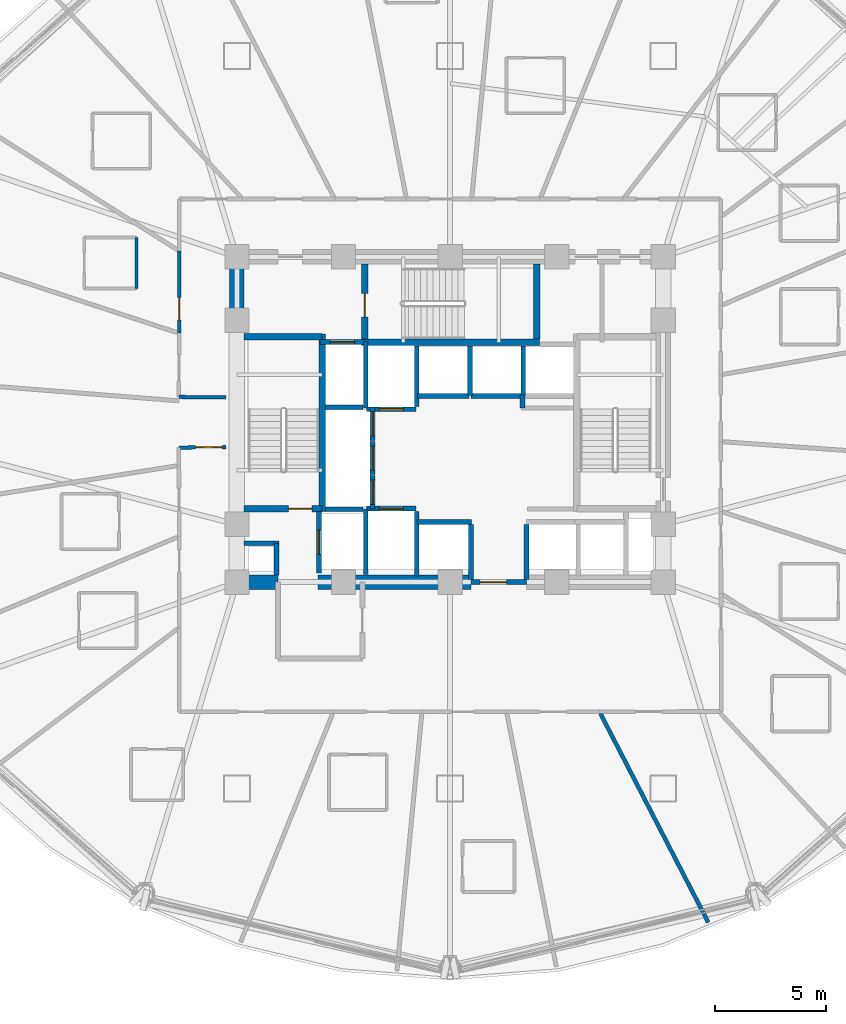
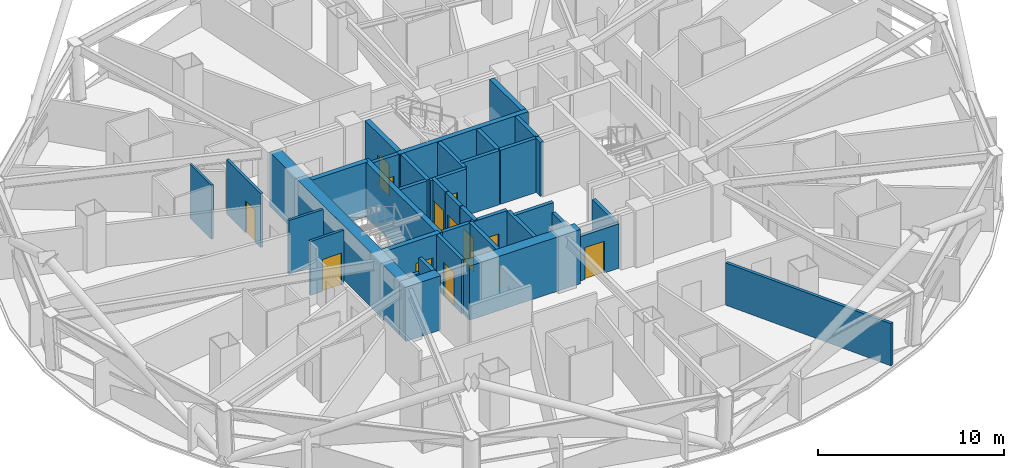
# One storey, part 8 of 16: 38 walls, 12 doors, 12 openings.
"""IFC4 building model written with IfcOpenShell, lengths in metres."""

from ifc_helpers import new_model, si_unit, direction, frame, frame_2d, origin, place, context, subcontext, project, spatial, rectangle, extrude, material, layer, layer_set, type_object, element, fill, save


model = new_model("IFC4")

# Units and contexts
model_context = context("Model", 3, precision=1e-05, world=origin(), true_north=direction((0.0, 1.0)))
body_context = subcontext(model_context, "Body", "Model", "MODEL_VIEW")
ifc_project = project(units=[si_unit("LENGTHUNIT", "METRE"), si_unit("AREAUNIT", "SQUARE_METRE"), si_unit("VOLUMEUNIT", "CUBIC_METRE"), si_unit("PLANEANGLEUNIT", "RADIAN"), si_unit("MASSUNIT", "GRAM", prefix="KILO")], contexts=[model_context])

# Site, building, storey
site_placement = place(None, origin())
site = spatial("IfcSite", under=ifc_project, at=site_placement, CompositionType="ELEMENT")
building_placement = place(site_placement, origin())
building = spatial("IfcBuilding", under=site, at=building_placement, Name="Vantalir Tower", CompositionType="ELEMENT")
storey_placement = place(building_placement, frame((0.0, 0.0, 64.5)))
storey = spatial("IfcBuildingStorey", under=building, at=storey_placement, Name="L15", CompositionType="ELEMENT", Elevation=64.5)

# Walls
ifc_material_1 = material(Name="Moisture-resistant en-suite partition", Category="gypsum")
ifc_layer_1 = layer(ifc_material_1, 0.125)
ifc_layer_set_1 = layer_set([ifc_layer_1], Name="Moisture-resistant en-suite partition")
wall_type_1 = type_object("IfcWallType", Name="WL-BATH-125", PredefinedType="PARTITIONING", material=ifc_layer_set_1)
wall_1_placement = place(storey_placement, frame((17.368896484375, 31.02197265625, 0.0), z_axis=(0.0, 0.0, 1.0), x_axis=(0.0, 1.0, 0.0)))
element("IfcWall", 1, at=wall_1_placement, inside=storey, type_object=wall_type_1, Name="L15 En-suite 10 East Wall", PredefinedType="PARTITIONING", context=body_context, shape_type="SweptSolid", body=[
    extrude(rectangle(XDim=2.300048828125, YDim=0.125, at=frame_2d((1.14990234375, 0.0))), origin(), (0.0, 0.0, 1.0), 3.550048828125),
])
ifc_material_2 = material(Name="Concrete C60/75", Category="concrete")
ifc_layer_2 = layer(ifc_material_2, 0.64990234375)
ifc_layer_set_2 = layer_set([ifc_layer_2], Name="Concrete C60/75")
wall_type_2 = type_object("IfcWallType", Name="WL-CORE-650", PredefinedType="SHEAR", material=ifc_layer_set_2)
wall_2_placement = place(storey_placement, frame((21.574951171875, 17.800048828125, 0.0), z_axis=(0.0, 0.0, 1.0), x_axis=(1.0, 0.0, 0.0)))
element("IfcWall", 2, at=wall_2_placement, inside=storey, type_object=wall_type_2, Name="L15 Core Shear Wall South-West", PredefinedType="SHEAR", context=body_context, shape_type="SweptSolid", body=[
    extrude(rectangle(XDim=2.175048828125, YDim=0.64990234375, at=frame_2d((1.08740234375, 0.0))), origin(), (0.0, 0.0, 1.0), 3.570068359375),
])
wall_3_placement = place(storey_placement, frame((25.550048828125, 17.800048828125, 0.0), z_axis=(0.0, 0.0, 1.0), x_axis=(1.0, 0.0, 0.0)))
element("IfcWall", 3, at=wall_3_placement, inside=storey, type_object=wall_type_2, Name="L15 Core Shear Wall South-Mid", PredefinedType="SHEAR", context=body_context, shape_type="SweptSolid", body=[
    extrude(rectangle(XDim=6.89990234375, YDim=0.64990234375, at=frame_2d((3.449951171875, 0.0))), origin(), (0.0, 0.0, 1.0), 3.570068359375),
])
wall_4_placement = place(storey_placement, frame((21.89990234375, 18.125, 0.0), z_axis=(0.0, 0.0, 1.0), x_axis=(0.0, 1.0, 0.0)))
element("IfcWall", 4, at=wall_4_placement, inside=storey, type_object=wall_type_2, Name="L15 Core Shear Wall West", PredefinedType="SHEAR", context=body_context, shape_type="SweptSolid", body=[
    extrude(rectangle(XDim=14.0, YDim=0.64990234375, at=frame_2d((7.0, 0.0))), origin(), (0.0, 0.0, 1.0), 3.570068359375),
])
ifc_material_3 = material(Name="Fire-rated hotel corridor acoustic partition", Category="gypsum")
ifc_layer_3 = layer(ifc_material_3, 0.159912109375)
ifc_layer_set_3 = layer_set([ifc_layer_3], Name="Fire-rated hotel corridor acoustic partition")
wall_type_3 = type_object("IfcWallType", Name="WL-CORR-160", PredefinedType="PARTITIONING", material=ifc_layer_set_3)
wall_5_placement = place(storey_placement, frame((21.39501953125, 26.117919921875, 0.0), z_axis=(0.0, 0.0, 1.0), x_axis=(-0.999934344566, 0.011458907294, 0.0)))
element("IfcWall", 5, at=wall_5_placement, inside=storey, type_object=wall_type_3, Name="L15 Corridor Partition 01", PredefinedType="PARTITIONING", context=body_context, shape_type="SweptSolid", body=[
    extrude(rectangle(XDim=2.109375, YDim=0.159912109375, at=frame_2d((1.0546875, 0.0))), origin(), (0.0, 0.0, 1.0), 3.550048828125),
])

# Wall, opening, door
wall_6_placement = place(storey_placement, frame((19.2919921875, 29.012939453125, 0.0), z_axis=(0.0, 0.0, 1.0), x_axis=(0.002439982185, 0.999997023239, 0.0)))
wall_6 = element("IfcWall", 6, at=wall_6_placement, inside=storey, type_object=wall_type_3, Name="L15 Corridor Partition 03", PredefinedType="PARTITIONING", context=body_context, shape_type="SweptSolid", body=[
    extrude(rectangle(XDim=3.7021484375, YDim=0.159912109375, at=frame_2d((1.85107421875, 0.0))), origin(), (0.0, 0.0, 1.0), 3.550048828125),
])
opening_1_placement = place(wall_6_placement, frame((0.60693359375, 0.0, 0.0)))
opening_1 = element("IfcOpeningElement", 7, at=opening_1_placement, cuts=wall_6, Name="Opening D-GUEST", PredefinedType="OPENING", context=body_context, shape_type="SweptSolid", body=[
    extrude(rectangle(XDim=1.0, YDim=2.10009765625, at=frame_2d((0.5, 1.050048828125))), frame((0.0, 0.08984375, 0.0), z_axis=(0.0, -1.0, 0.0), x_axis=(1.0, 0.0, 0.0)), (0.0, 0.0, 1.0), 0.179931640625),
])
ifc_material_4 = material(Name="Solid-core teak veneer acoustic fire door", Category="wood")
door_type_1 = type_object("IfcDoorType", Name="DR-GUEST-ENTRY-1000", OperationType="NOTDEFINED", PredefinedType="DOOR", material=ifc_material_4)
door_1_placement = place(opening_1_placement, origin())
door_1 = element("IfcDoor", 8, at=door_1_placement, inside=storey, type_object=door_type_1, Name="L15 Deluxe King Hotel Room 10 Door", OperationType="SINGLE_SWING_RIGHT", OverallHeight=2.10009765625, OverallWidth=1.0, PredefinedType="DOOR", context=body_context, shape_type="SweptSolid", body=[
    extrude(rectangle(XDim=1.0, YDim=2.10009765625, at=frame_2d((0.5, 1.050048828125))), frame((0.0, 0.02490234375, 0.0), z_axis=(0.0, -1.0, 0.0), x_axis=(1.0, 0.0, 0.0)), (0.0, 0.0, 1.0), 0.050048828125),
])
fill(opening_1, door_1)

wall_7_placement = place(storey_placement, frame((19.285888671875, 23.85791015625, 0.0), z_axis=(0.0, 0.0, 1.0), x_axis=(0.999905141734, 0.013773435799, 0.0)))
wall_7 = element("IfcWall", 9, at=wall_7_placement, inside=storey, type_object=wall_type_3, Name="L15 Corridor Partition 28", PredefinedType="PARTITIONING", context=body_context, shape_type="SweptSolid", body=[
    extrude(rectangle(XDim=2.109375, YDim=0.159912109375, at=frame_2d((1.0546875, 0.0))), origin(), (0.0, 0.0, 1.0), 3.550048828125),
])
opening_2_placement = place(wall_7_placement, frame((0.7490234375, 0.0, 0.0)))
opening_2 = element("IfcOpeningElement", 10, at=opening_2_placement, cuts=wall_7, Name="Opening D-STE", PredefinedType="OPENING", context=body_context, shape_type="SweptSolid", body=[
    extrude(rectangle(XDim=1.199951171875, YDim=2.10009765625, at=frame_2d((0.60009765625, 1.050048828125))), frame((0.0, 0.08984375, 0.0), z_axis=(0.0, -1.0, 0.0), x_axis=(1.0, 0.0, 0.0)), (0.0, 0.0, 1.0), 0.179931640625),
])
ifc_material_5 = material(Name="Solid-core teak veneer suite entrance door", Category="wood")
door_type_2 = type_object("IfcDoorType", Name="DR-SUITE-ENTRY-1200", OperationType="NOTDEFINED", PredefinedType="DOOR", material=ifc_material_5)
door_2_placement = place(opening_2_placement, origin())
door_2 = element("IfcDoor", 11, at=door_2_placement, inside=storey, type_object=door_type_2, Name="L15 Executive Sky Boardroom 12 Door", OperationType="SINGLE_SWING_RIGHT", OverallHeight=2.10009765625, OverallWidth=1.199951171875, PredefinedType="DOOR", context=body_context, shape_type="SweptSolid", body=[
    extrude(rectangle(XDim=1.199951171875, YDim=2.10009765625, at=frame_2d((0.60009765625, 1.050048828125))), frame((0.0, 0.02490234375, 0.0), z_axis=(0.0, -1.0, 0.0), x_axis=(1.0, 0.0, 0.0)), (0.0, 0.0, 1.0), 0.050048828125),
])
fill(opening_2, door_2)

# Walls
ifc_material_6 = material(Name="Concrete blockwork with fireboard lining", Category="masonry")
ifc_layer_4 = layer(ifc_material_6, 0.219970703125)
ifc_layer_set_4 = layer_set([ifc_layer_4], Name="Concrete blockwork with fireboard lining")
wall_type_4 = type_object("IfcWallType", Name="WL-FFL-220", PredefinedType="PARTITIONING", material=ifc_layer_set_4)
wall_8_placement = place(storey_placement, frame((30.0, 18.080078125, 0.0), z_axis=(0.0, 0.0, 1.0), x_axis=(0.0, 1.0, 0.0)))
element("IfcWall", 12, at=wall_8_placement, inside=storey, type_object=wall_type_4, Name="L15 Service Lift SV1 East Shaft Wall", PredefinedType="PARTITIONING", context=body_context, shape_type="SweptSolid", body=[
    extrude(rectangle(XDim=2.89990234375, YDim=0.219970703125, at=frame_2d((1.449951171875, 0.0))), origin(), (0.0, 0.0, 1.0), 3.544921875),
])
for number, where, z_axis, x_axis, name in (
    (13, (32.449951171875, 17.919921875, 0.0), (0.0, 0.0, 1.0), (0.0, 1.0, 0.0), "L15 Shuttle Lift PL-X1 East Shaft Cheek"),
    (14, (34.949951171875, 17.919921875, 0.0), (0.0, 0.0, 1.0), (0.0, 1.0, 0.0), "L15 Shuttle Lift PL-X3 West Shaft Cheek"),
):
    element("IfcWall", number, at=place(storey_placement, frame(where, z_axis=z_axis, x_axis=x_axis)), inside=storey, type_object=wall_type_4, Name=name, PredefinedType="PARTITIONING", context=body_context, shape_type="SweptSolid", body=[
        extrude(rectangle(XDim=2.469970703125, YDim=0.219970703125, at=frame_2d((1.23486328125, 0.0))), origin(), (0.0, 0.0, 1.0), 2.927978515625),
    ])
wall_9_placement = place(storey_placement, frame((30.0, 25.7099609375, 0.0), z_axis=(0.0, 0.0, 1.0), x_axis=(0.0, 1.0, 0.0)))
element("IfcWall", 15, at=wall_9_placement, inside=storey, type_object=wall_type_4, Name="L15 Service Lift SV2 East Shaft Wall", PredefinedType="PARTITIONING", context=body_context, shape_type="SweptSolid", body=[
    extrude(rectangle(XDim=2.72998046875, YDim=0.219970703125, at=frame_2d((1.364990234375, 0.0))), origin(), (0.0, 0.0, 1.0), 3.544921875),
])
wall_10_placement = place(storey_placement, frame((32.39990234375, 26.199951171875, 0.0), z_axis=(0.0, 0.0, 1.0), x_axis=(0.0, 1.0, 0.0)))
element("IfcWall", 16, at=wall_10_placement, inside=storey, type_object=wall_type_4, Name="L15 High-Rise Lift PL-H1/H2 Shaft Divider", PredefinedType="PARTITIONING", context=body_context, shape_type="SweptSolid", body=[
    extrude(rectangle(XDim=2.239990234375, YDim=0.219970703125, at=frame_2d((1.1201171875, 0.0))), origin(), (0.0, 0.0, 1.0), 3.544921875),
])
wall_11_placement = place(storey_placement, frame((34.800048828125, 26.22998046875, 0.0), z_axis=(0.0, 0.0, 1.0), x_axis=(0.0, 1.0, 0.0)))
element("IfcWall", 17, at=wall_11_placement, inside=storey, type_object=wall_type_4, Name="L15 High-Rise Lift PL-H2/H3 Shaft Divider", PredefinedType="PARTITIONING", context=body_context, shape_type="SweptSolid", body=[
    extrude(rectangle(XDim=2.2099609375, YDim=0.219970703125, at=frame_2d((1.10498046875, 0.0))), origin(), (0.0, 0.0, 1.0), 3.544921875),
])

# Wall, opening, door
wall_12_placement = place(storey_placement, frame((32.449951171875, 17.800048828125, 0.0), z_axis=(0.0, 0.0, 1.0), x_axis=(1.0, 0.0, 0.0)))
wall_12 = element("IfcWall", 18, at=wall_12_placement, inside=storey, type_object=wall_type_4, Name="L15 Passenger Lift Lobby South Wall", PredefinedType="PARTITIONING", context=body_context, shape_type="SweptSolid", body=[
    extrude(rectangle(XDim=2.5, YDim=0.219970703125, at=frame_2d((1.25, 0.0))), origin(), (0.0, 0.0, 1.0), 2.927978515625),
])
opening_3_placement = place(wall_12_placement, frame((0.39990234375, 0.0, 0.0)))
opening_3 = element("IfcOpeningElement", 19, at=opening_3_placement, cuts=wall_12, Name="Opening D-STE", PredefinedType="OPENING", context=body_context, shape_type="SweptSolid", body=[
    extrude(rectangle(XDim=1.199951171875, YDim=2.10009765625, at=frame_2d((0.60009765625, 1.050048828125))), frame((0.0, 0.119873046875, 0.0), z_axis=(0.0, -1.0, 0.0), x_axis=(1.0, 0.0, 0.0)), (0.0, 0.0, 1.0), 0.239990234375),
])
door_3_placement = place(opening_3_placement, origin())
door_3 = element("IfcDoor", 20, at=door_3_placement, inside=storey, type_object=door_type_2, Name="L15 Passenger Lift Lobby Concourse Door", OperationType="SINGLE_SWING_RIGHT", OverallHeight=2.10009765625, OverallWidth=1.199951171875, PredefinedType="DOOR", context=body_context, shape_type="SweptSolid", body=[
    extrude(rectangle(XDim=1.199951171875, YDim=2.10009765625, at=frame_2d((0.60009765625, 1.050048828125))), frame((0.0, 0.02490234375, 0.0), z_axis=(0.0, -1.0, 0.0), x_axis=(1.0, 0.0, 0.0)), (0.0, 0.0, 1.0), 0.050048828125),
])
fill(opening_3, door_3)

# Walls
wall_13_placement = place(storey_placement, frame((23.679931640625, 18.125, 0.0), z_axis=(0.0, 0.0, 1.0), x_axis=(0.0, 1.0, 0.0)))
element("IfcWall", 21, at=wall_13_placement, inside=storey, type_object=wall_type_4, Name="L15 West MEP Riser Wall E", PredefinedType="PARTITIONING", context=body_context, shape_type="SweptSolid", body=[
    extrude(rectangle(XDim=1.425048828125, YDim=0.219970703125, at=frame_2d((0.71240234375, 0.0))), origin(), (0.0, 0.0, 1.0), 3.550048828125),
])
wall_14_placement = place(storey_placement, frame((22.22509765625, 19.550048828125, 0.0), z_axis=(0.0, 0.0, 1.0), x_axis=(1.0, 0.0, 0.0)))
element("IfcWall", 22, at=wall_14_placement, inside=storey, type_object=wall_type_4, Name="L15 West MEP Riser Wall N", PredefinedType="PARTITIONING", context=body_context, shape_type="SweptSolid", body=[
    extrude(rectangle(XDim=1.56494140625, YDim=0.219970703125, at=frame_2d((0.782470703125, 0.0))), origin(), (0.0, 0.0, 1.0), 2.594970703125),
])

# Wall, opening, door
wall_15_placement = place(storey_placement, frame((25.590087890625, 18.219970703125, 0.0), z_axis=(0.0, 0.0, 1.0), x_axis=(0.0, 1.0, 0.0)))
wall_15 = element("IfcWall", 23, at=wall_15_placement, inside=storey, type_object=wall_type_4, Name="L15 Lift FL1 Shaft Front Wall", PredefinedType="PARTITIONING", context=body_context, shape_type="SweptSolid", body=[
    extrude(rectangle(XDim=2.760009765625, YDim=0.219970703125, at=frame_2d((1.3798828125, 0.0))), origin(), (0.0, 0.0, 1.0), 3.550048828125),
])
opening_4_placement = place(wall_15_placement, frame((0.830078125, 0.0, 0.0)))
opening_4 = element("IfcOpeningElement", 24, at=opening_4_placement, cuts=wall_15, Name="Opening LD-FL1", PredefinedType="OPENING", context=body_context, shape_type="SweptSolid", body=[
    extrude(rectangle(XDim=1.10009765625, YDim=2.199951171875, at=frame_2d((0.550048828125, 1.10009765625))), frame((0.0, 0.119873046875, 0.0), z_axis=(0.0, -1.0, 0.0), x_axis=(1.0, 0.0, 0.0)), (0.0, 0.0, 1.0), 0.239990234375),
])
ifc_material_7 = material(Name="Brushed stainless-steel sliding lift landing door", Category="steel")
door_type_3 = type_object("IfcDoorType", Name="DR-LIFT-LANDING-1100", OperationType="DOUBLE_DOOR_SLIDING", PredefinedType="DOOR", material=ifc_material_7)
door_4_placement = place(opening_4_placement, origin())
door_4 = element("IfcDoor", 25, at=door_4_placement, inside=storey, type_object=door_type_3, Name="L15 Lift Landing Door FL1", OperationType="DOUBLE_DOOR_SLIDING", OverallHeight=2.199951171875, OverallWidth=1.10009765625, PredefinedType="DOOR", context=body_context, shape_type="SweptSolid", body=[
    extrude(rectangle(XDim=1.10009765625, YDim=2.199951171875, at=frame_2d((0.550048828125, 1.10009765625))), frame((0.0, 0.02490234375, 0.0), z_axis=(0.0, -1.0, 0.0), x_axis=(1.0, 0.0, 0.0)), (0.0, 0.0, 1.0), 0.050048828125),
])
fill(opening_4, door_4)

wall_16_placement = place(storey_placement, frame((25.639892578125, 28.610107421875, 0.0), z_axis=(0.0, 0.0, 1.0), x_axis=(1.0, 0.0, 0.0)))
wall_16 = element("IfcWall", 26, at=wall_16_placement, inside=storey, type_object=wall_type_4, Name="L15 Lift FL2 Shaft Front Wall", PredefinedType="PARTITIONING", context=body_context, shape_type="SweptSolid", body=[
    extrude(rectangle(XDim=2.02001953125, YDim=0.219970703125, at=frame_2d((1.010009765625, 0.0))), origin(), (0.0, 0.0, 1.0), 3.550048828125),
])
opening_5_placement = place(wall_16_placement, frame((0.4599609375, 0.0, 0.0)))
opening_5 = element("IfcOpeningElement", 27, at=opening_5_placement, cuts=wall_16, Name="Opening LD-FL2", PredefinedType="OPENING", context=body_context, shape_type="SweptSolid", body=[
    extrude(rectangle(XDim=1.10009765625, YDim=2.199951171875, at=frame_2d((0.550048828125, 1.10009765625))), frame((0.0, 0.119873046875, 0.0), z_axis=(0.0, -1.0, 0.0), x_axis=(1.0, 0.0, 0.0)), (0.0, 0.0, 1.0), 0.239990234375),
])
door_5_placement = place(opening_5_placement, origin())
door_5 = element("IfcDoor", 28, at=door_5_placement, inside=storey, type_object=door_type_3, Name="L15 Lift Landing Door FL2", OperationType="DOUBLE_DOOR_SLIDING", OverallHeight=2.199951171875, OverallWidth=1.10009765625, PredefinedType="DOOR", context=body_context, shape_type="SweptSolid", body=[
    extrude(rectangle(XDim=1.10009765625, YDim=2.199951171875, at=frame_2d((0.550048828125, 1.10009765625))), frame((0.0, 0.02490234375, 0.0), z_axis=(0.0, -1.0, 0.0), x_axis=(1.0, 0.0, 0.0)), (0.0, 0.0, 1.0), 0.050048828125),
])
fill(opening_5, door_5)

wall_17_placement = place(storey_placement, frame((27.739990234375, 21.110107421875, 0.0), z_axis=(0.0, 0.0, 1.0), x_axis=(1.0, 0.0, 0.0)))
wall_17 = element("IfcWall", 29, at=wall_17_placement, inside=storey, type_object=wall_type_4, Name="L15 Lift SV1 Shaft Front Wall", PredefinedType="PARTITIONING", context=body_context, shape_type="SweptSolid", body=[
    extrude(rectangle(XDim=2.219970703125, YDim=0.219970703125, at=frame_2d((1.10986328125, 0.0))), origin(), (0.0, 0.0, 1.0), 3.550048828125),
])
opening_6_placement = place(wall_17_placement, frame((0.56005859375, 0.0, 0.0)))
opening_6 = element("IfcOpeningElement", 30, at=opening_6_placement, cuts=wall_17, Name="Opening LD-SV1", PredefinedType="OPENING", context=body_context, shape_type="SweptSolid", body=[
    extrude(rectangle(XDim=1.10009765625, YDim=2.199951171875, at=frame_2d((0.550048828125, 1.10009765625))), frame((0.0, 0.119873046875, 0.0), z_axis=(0.0, -1.0, 0.0), x_axis=(1.0, 0.0, 0.0)), (0.0, 0.0, 1.0), 0.239990234375),
])
door_6_placement = place(opening_6_placement, origin())
door_6 = element("IfcDoor", 31, at=door_6_placement, inside=storey, type_object=door_type_3, Name="L15 Lift Landing Door SV1", OperationType="DOUBLE_DOOR_SLIDING", OverallHeight=2.199951171875, OverallWidth=1.10009765625, PredefinedType="DOOR", context=body_context, shape_type="SweptSolid", body=[
    extrude(rectangle(XDim=1.10009765625, YDim=2.199951171875, at=frame_2d((0.550048828125, 1.10009765625))), frame((0.0, 0.02490234375, 0.0), z_axis=(0.0, -1.0, 0.0), x_axis=(1.0, 0.0, 0.0)), (0.0, 0.0, 1.0), 0.050048828125),
])
fill(opening_6, door_6)

wall_18_placement = place(storey_placement, frame((27.739990234375, 25.590087890625, 0.0), z_axis=(0.0, 0.0, 1.0), x_axis=(1.0, 0.0, 0.0)))
wall_18 = element("IfcWall", 32, at=wall_18_placement, inside=storey, type_object=wall_type_4, Name="L15 Lift SV2 Shaft Front Wall", PredefinedType="PARTITIONING", context=body_context, shape_type="SweptSolid", body=[
    extrude(rectangle(XDim=2.219970703125, YDim=0.219970703125, at=frame_2d((1.10986328125, 0.0))), origin(), (0.0, 0.0, 1.0), 3.550048828125),
])
opening_7_placement = place(wall_18_placement, frame((0.56005859375, 0.0, 0.0)))
opening_7 = element("IfcOpeningElement", 33, at=opening_7_placement, cuts=wall_18, Name="Opening LD-SV2", PredefinedType="OPENING", context=body_context, shape_type="SweptSolid", body=[
    extrude(rectangle(XDim=1.10009765625, YDim=2.199951171875, at=frame_2d((0.550048828125, 1.10009765625))), frame((0.0, 0.119873046875, 0.0), z_axis=(0.0, -1.0, 0.0), x_axis=(1.0, 0.0, 0.0)), (0.0, 0.0, 1.0), 0.239990234375),
])
door_7_placement = place(opening_7_placement, frame((1.10009765625, 0.0, 0.0), z_axis=(0.0, 0.0, 1.0), x_axis=(-1.0, 0.0, 0.0)))
door_7 = element("IfcDoor", 34, at=door_7_placement, inside=storey, type_object=door_type_3, Name="L15 Lift Landing Door SV2", OperationType="DOUBLE_DOOR_SLIDING", OverallHeight=2.199951171875, OverallWidth=1.10009765625, PredefinedType="DOOR", context=body_context, shape_type="SweptSolid", body=[
    extrude(rectangle(XDim=1.10009765625, YDim=2.199951171875, at=frame_2d((0.550048828125, 1.10009765625))), frame((0.0, 0.02490234375, 0.0), z_axis=(0.0, -1.0, 0.0), x_axis=(1.0, 0.0, 0.0)), (0.0, 0.0, 1.0), 0.050048828125),
])
fill(opening_7, door_7)

# Walls
wall_19_placement = place(storey_placement, frame((30.0400390625, 20.510009765625, 0.0), z_axis=(0.0, 0.0, 1.0), x_axis=(1.0, 0.0, 0.0)))
element("IfcWall", 35, at=wall_19_placement, inside=storey, type_object=wall_type_4, Name="L15 Lift PL-X1 Shaft Front Wall", PredefinedType="PARTITIONING", context=body_context, shape_type="SweptSolid", body=[
    extrude(rectangle(XDim=2.419921875, YDim=0.219970703125, at=frame_2d((1.2099609375, 0.0))), origin(), (0.0, 0.0, 1.0), 3.550048828125),
])
for number, where, z_axis, x_axis, name in (
    (36, (30.0400390625, 26.18994140625, 0.0), (0.0, 0.0, 1.0), (1.0, 0.0, 0.0), "L15 Lift PL-H1 Shaft Front Wall"),
    (37, (32.43994140625, 26.18994140625, 0.0), (0.0, 0.0, 1.0), (1.0, 0.0, 0.0), "L15 Lift PL-H2 Shaft Front Wall"),
):
    element("IfcWall", number, at=place(storey_placement, frame(where, z_axis=z_axis, x_axis=x_axis)), inside=storey, type_object=wall_type_4, Name=name, PredefinedType="PARTITIONING", context=body_context, shape_type="SweptSolid", body=[
        extrude(rectangle(XDim=2.320068359375, YDim=0.219970703125, at=frame_2d((1.16015625, 0.0))), origin(), (0.0, 0.0, 1.0), 3.550048828125),
    ])

# Wall, opening, door
wall_20_placement = place(storey_placement, frame((28.010009765625, 21.10009765625, 0.0), z_axis=(0.0, 0.0, 1.0), x_axis=(0.0, 1.0, 0.0)))
wall_20 = element("IfcWall", 38, at=wall_20_placement, inside=storey, type_object=wall_type_4, Name="L15 Lift PL-L1 Shaft Front Wall", PredefinedType="PARTITIONING", context=body_context, shape_type="SweptSolid", body=[
    extrude(rectangle(XDim=1.5, YDim=0.219970703125, at=frame_2d((0.75, 0.0))), origin(), (0.0, 0.0, 1.0), 3.550048828125),
])
opening_8_placement = place(wall_20_placement, frame((0.199951171875, 0.0, 0.0)))
opening_8 = element("IfcOpeningElement", 39, at=opening_8_placement, cuts=wall_20, Name="Opening LD-PL-L1", PredefinedType="OPENING", context=body_context, shape_type="SweptSolid", body=[
    extrude(rectangle(XDim=1.10009765625, YDim=2.199951171875, at=frame_2d((0.550048828125, 1.10009765625))), frame((0.0, 0.119873046875, 0.0), z_axis=(0.0, -1.0, 0.0), x_axis=(1.0, 0.0, 0.0)), (0.0, 0.0, 1.0), 0.239990234375),
])
door_8_placement = place(opening_8_placement, frame((1.10009765625, 0.0, 0.0), z_axis=(0.0, 0.0, 1.0), x_axis=(-1.0, 0.0, 0.0)))
door_8 = element("IfcDoor", 40, at=door_8_placement, inside=storey, type_object=door_type_3, Name="L15 Lift Landing Door PL-L1", OperationType="DOUBLE_DOOR_SLIDING", OverallHeight=2.199951171875, OverallWidth=1.10009765625, PredefinedType="DOOR", context=body_context, shape_type="SweptSolid", body=[
    extrude(rectangle(XDim=1.10009765625, YDim=2.199951171875, at=frame_2d((0.550048828125, 1.10009765625))), frame((0.0, 0.02490234375, 0.0), z_axis=(0.0, -1.0, 0.0), x_axis=(1.0, 0.0, 0.0)), (0.0, 0.0, 1.0), 0.050048828125),
])
fill(opening_8, door_8)

wall_21_placement = place(storey_placement, frame((28.010009765625, 22.639892578125, 0.0), z_axis=(0.0, 0.0, 1.0), x_axis=(0.0, 1.0, 0.0)))
wall_21 = element("IfcWall", 41, at=wall_21_placement, inside=storey, type_object=wall_type_4, Name="L15 Lift PL-L2 Shaft Front Wall", PredefinedType="PARTITIONING", context=body_context, shape_type="SweptSolid", body=[
    extrude(rectangle(XDim=1.5, YDim=0.219970703125, at=frame_2d((0.75, 0.0))), origin(), (0.0, 0.0, 1.0), 3.550048828125),
])
opening_9_placement = place(wall_21_placement, frame((0.199951171875, 0.0, 0.0)))
opening_9 = element("IfcOpeningElement", 42, at=opening_9_placement, cuts=wall_21, Name="Opening LD-PL-L2", PredefinedType="OPENING", context=body_context, shape_type="SweptSolid", body=[
    extrude(rectangle(XDim=1.10009765625, YDim=2.199951171875, at=frame_2d((0.550048828125, 1.10009765625))), frame((0.0, 0.119873046875, 0.0), z_axis=(0.0, -1.0, 0.0), x_axis=(1.0, 0.0, 0.0)), (0.0, 0.0, 1.0), 0.239990234375),
])
door_9_placement = place(opening_9_placement, frame((1.10009765625, 0.0, 0.0), z_axis=(0.0, 0.0, 1.0), x_axis=(-1.0, 0.0, 0.0)))
door_9 = element("IfcDoor", 43, at=door_9_placement, inside=storey, type_object=door_type_3, Name="L15 Lift Landing Door PL-L2", OperationType="DOUBLE_DOOR_SLIDING", OverallHeight=2.199951171875, OverallWidth=1.10009765625, PredefinedType="DOOR", context=body_context, shape_type="SweptSolid", body=[
    extrude(rectangle(XDim=1.10009765625, YDim=2.199951171875, at=frame_2d((0.550048828125, 1.10009765625))), frame((0.0, 0.02490234375, 0.0), z_axis=(0.0, -1.0, 0.0), x_axis=(1.0, 0.0, 0.0)), (0.0, 0.0, 1.0), 0.050048828125),
])
fill(opening_9, door_9)

wall_22_placement = place(storey_placement, frame((28.010009765625, 24.179931640625, 0.0), z_axis=(0.0, 0.0, 1.0), x_axis=(0.0, 1.0, 0.0)))
wall_22 = element("IfcWall", 44, at=wall_22_placement, inside=storey, type_object=wall_type_4, Name="L15 Lift PL-L3 Shaft Front Wall", PredefinedType="PARTITIONING", context=body_context, shape_type="SweptSolid", body=[
    extrude(rectangle(XDim=1.5, YDim=0.219970703125, at=frame_2d((0.75, 0.0))), origin(), (0.0, 0.0, 1.0), 3.550048828125),
])
opening_10_placement = place(wall_22_placement, frame((0.199951171875, 0.0, 0.0)))
opening_10 = element("IfcOpeningElement", 45, at=opening_10_placement, cuts=wall_22, Name="Opening LD-PL-L3", PredefinedType="OPENING", context=body_context, shape_type="SweptSolid", body=[
    extrude(rectangle(XDim=1.10009765625, YDim=2.199951171875, at=frame_2d((0.550048828125, 1.10009765625))), frame((0.0, 0.119873046875, 0.0), z_axis=(0.0, -1.0, 0.0), x_axis=(1.0, 0.0, 0.0)), (0.0, 0.0, 1.0), 0.239990234375),
])
door_10_placement = place(opening_10_placement, frame((1.10009765625, 0.0, 0.0), z_axis=(0.0, 0.0, 1.0), x_axis=(-1.0, 0.0, 0.0)))
door_10 = element("IfcDoor", 46, at=door_10_placement, inside=storey, type_object=door_type_3, Name="L15 Lift Landing Door PL-L3", OperationType="DOUBLE_DOOR_SLIDING", OverallHeight=2.199951171875, OverallWidth=1.10009765625, PredefinedType="DOOR", context=body_context, shape_type="SweptSolid", body=[
    extrude(rectangle(XDim=1.10009765625, YDim=2.199951171875, at=frame_2d((0.550048828125, 1.10009765625))), frame((0.0, 0.02490234375, 0.0), z_axis=(0.0, -1.0, 0.0), x_axis=(1.0, 0.0, 0.0)), (0.0, 0.0, 1.0), 0.050048828125),
])
fill(opening_10, door_10)

# Walls
wall_23_placement = place(storey_placement, frame((27.699951171875, 18.14990234375, 0.0), z_axis=(0.0, 0.0, 1.0), x_axis=(0.0, 1.0, 0.0)))
element("IfcWall", 47, at=wall_23_placement, inside=storey, type_object=wall_type_4, Name="L15 Fire Lift FL1 Dividing Wall", PredefinedType="PARTITIONING", context=body_context, shape_type="SweptSolid", body=[
    extrude(rectangle(XDim=2.9501953125, YDim=0.219970703125, at=frame_2d((1.47509765625, 0.0))), origin(), (0.0, 0.0, 1.0), 3.550048828125),
])
wall_24_placement = place(storey_placement, frame((27.699951171875, 25.64990234375, 0.0), z_axis=(0.0, 0.0, 1.0), x_axis=(0.0, 1.0, 0.0)))
element("IfcWall", 48, at=wall_24_placement, inside=storey, type_object=wall_type_4, Name="L15 Fire Lift FL2 Dividing Wall", PredefinedType="PARTITIONING", context=body_context, shape_type="SweptSolid", body=[
    extrude(rectangle(XDim=3.0, YDim=0.219970703125, at=frame_2d((1.5, 0.0))), origin(), (0.0, 0.0, 1.0), 3.550048828125),
])
for number, where, z_axis, x_axis, name in (
    (49, (25.8798828125, 21.080078125, 0.0), (0.0, 0.0, 1.0), (1.0, 0.0, 0.0), "L15 Low-Rise Bank South Wall"),
    (50, (25.8798828125, 25.679931640625, 0.0), (0.0, 0.0, 1.0), (1.0, 0.0, 0.0), "L15 Low-Rise Bank North Wall"),
):
    element("IfcWall", number, at=place(storey_placement, frame(where, z_axis=z_axis, x_axis=x_axis)), inside=storey, type_object=wall_type_4, Name=name, PredefinedType="PARTITIONING", context=body_context, shape_type="SweptSolid", body=[
        extrude(rectangle(XDim=1.7001953125, YDim=0.219970703125, at=frame_2d((0.85009765625, 0.0))), origin(), (0.0, 0.0, 1.0), 3.550048828125),
    ])
wall_25_placement = place(storey_placement, frame((34.760009765625, 25.64990234375, 0.0), z_axis=(0.0, 0.0, 1.0), x_axis=(0.0, 1.0, 0.0)))
element("IfcWall", 51, at=wall_25_placement, inside=storey, type_object=wall_type_4, Name="L15 High-Rise Shaft Shoulder Wall", PredefinedType="PARTITIONING", context=body_context, shape_type="SweptSolid", body=[
    extrude(rectangle(XDim=0.570068359375, YDim=0.219970703125, at=frame_2d((0.28515625, 0.0))), origin(), (0.0, 0.0, 1.0), 3.550048828125),
])
ifc_material_8 = material(Name="Twin-stud acoustic fire-rated gypsum partition", Category="gypsum")
ifc_layer_5 = layer(ifc_material_8, 0.179931640625)
ifc_layer_set_5 = layer_set([ifc_layer_5], Name="Twin-stud acoustic fire-rated gypsum partition")
wall_type_5 = type_object("IfcWallType", Name="WL-GUEST-180", PredefinedType="PARTITIONING", material=ifc_layer_set_5)
wall_26_placement = place(storey_placement, frame((38.27587890625, 11.875, 0.0), z_axis=(0.0, 0.0, 1.0), x_axis=(0.458791558399, -0.888543924599, 0.0)))
element("IfcWall", 52, at=wall_26_placement, inside=storey, type_object=wall_type_5, Name="L15 Radial Suite Partition 19", PredefinedType="PARTITIONING", context=body_context, shape_type="SweptSolid", body=[
    extrude(rectangle(XDim=10.584716796875, YDim=0.179931640625, at=frame_2d((5.29248046875, 0.0))), origin(), (0.0, 0.0, 1.0), 2.77490234375),
])

# Wall, opening, door
ifc_material_9 = material(Name="Concrete C50/60", Category="concrete")
ifc_layer_6 = layer(ifc_material_9, 0.300048828125)
ifc_layer_set_6 = layer_set([ifc_layer_6], Name="Concrete C50/60")
wall_type_6 = type_object("IfcWallType", Name="WL-STAIR-300", PredefinedType="SHEAR", material=ifc_layer_set_6)
wall_27_placement = place(storey_placement, frame((22.22509765625, 21.10009765625, 0.0), z_axis=(0.0, 0.0, 1.0), x_axis=(1.0, 0.0, 0.0)))
wall_27 = element("IfcWall", 53, at=wall_27_placement, inside=storey, type_object=wall_type_6, Name="L15 Stair ST1 South Wall", PredefinedType="SHEAR", context=body_context, shape_type="SweptSolid", body=[
    extrude(rectangle(XDim=3.514892578125, YDim=0.300048828125, at=frame_2d((1.75732421875, 0.0))), origin(), (0.0, 0.0, 1.0), 3.570068359375),
])
opening_11_placement = place(wall_27_placement, frame((1.9951171875, 0.0, 0.0)))
opening_11 = element("IfcOpeningElement", 54, at=opening_11_placement, cuts=wall_27, Name="Opening D-ST", PredefinedType="OPENING", context=body_context, shape_type="SweptSolid", body=[
    extrude(rectangle(XDim=1.050048828125, YDim=2.10009765625, at=frame_2d((0.52490234375, 1.050048828125))), frame((0.0, 0.159912109375, 0.0), z_axis=(0.0, -1.0, 0.0), x_axis=(1.0, 0.0, 0.0)), (0.0, 0.0, 1.0), 0.320068359375),
])
ifc_material_10 = material(Name="Fire-rated steel door leaf", Category="steel")
door_type_4 = type_object("IfcDoorType", Name="DR-FIRE-STAIR-1050", OperationType="NOTDEFINED", PredefinedType="DOOR", material=ifc_material_10)
door_11_placement = place(opening_11_placement, origin())
door_11 = element("IfcDoor", 55, at=door_11_placement, inside=storey, type_object=door_type_4, Name="L15 Exit Stair ST1 Fire Door", OperationType="SINGLE_SWING_RIGHT", OverallHeight=2.10009765625, OverallWidth=1.050048828125, PredefinedType="DOOR", context=body_context, shape_type="SweptSolid", body=[
    extrude(rectangle(XDim=1.050048828125, YDim=2.10009765625, at=frame_2d((0.52490234375, 1.050048828125))), frame((0.0, 0.02490234375, 0.0), z_axis=(0.0, -1.0, 0.0), x_axis=(1.0, 0.0, 0.0)), (0.0, 0.0, 1.0), 0.050048828125),
])
fill(opening_11, door_11)

# Walls
wall_28_placement = place(storey_placement, frame((22.22509765625, 28.85009765625, 0.0), z_axis=(0.0, 0.0, 1.0), x_axis=(1.0, 0.0, 0.0)))
element("IfcWall", 56, at=wall_28_placement, inside=storey, type_object=wall_type_6, Name="L15 Stair ST1 North Wall", PredefinedType="SHEAR", context=body_context, shape_type="SweptSolid", body=[
    extrude(rectangle(XDim=3.514892578125, YDim=0.300048828125, at=frame_2d((1.75732421875, 0.0))), origin(), (0.0, 0.0, 1.0), 3.570068359375),
])
wall_29_placement = place(storey_placement, frame((25.739990234375, 20.97998046875, 0.0), z_axis=(0.0, 0.0, 1.0), x_axis=(0.0, 1.0, 0.0)))
element("IfcWall", 57, at=wall_29_placement, inside=storey, type_object=wall_type_6, Name="L15 Stair ST1 East Wall", PredefinedType="SHEAR", context=body_context, shape_type="SweptSolid", body=[
    extrude(rectangle(XDim=7.989990234375, YDim=0.300048828125, at=frame_2d((3.9951171875, 0.0))), origin(), (0.0, 0.0, 1.0), 3.570068359375),
])
wall_30_placement = place(storey_placement, frame((27.510009765625, 28.60009765625, 0.0), z_axis=(0.0, 0.0, 1.0), x_axis=(1.0, 0.0, 0.0)))
element("IfcWall", 58, at=wall_30_placement, inside=storey, type_object=wall_type_6, Name="L15 Stair ST3 South Wall", PredefinedType="SHEAR", context=body_context, shape_type="SweptSolid", body=[
    extrude(rectangle(XDim=8.030029296875, YDim=0.300048828125, at=frame_2d((4.01513671875, 0.0))), origin(), (0.0, 0.0, 1.0), 3.570068359375),
])

# Wall, opening, door
wall_31_placement = place(storey_placement, frame((27.64990234375, 28.75, 0.0), z_axis=(0.0, 0.0, 1.0), x_axis=(0.0, 1.0, 0.0)))
wall_31 = element("IfcWall", 59, at=wall_31_placement, inside=storey, type_object=wall_type_6, Name="L15 Stair ST3 West Wall", PredefinedType="SHEAR", context=body_context, shape_type="SweptSolid", body=[
    extrude(rectangle(XDim=3.375, YDim=0.300048828125, at=frame_2d((1.6875, 0.0))), origin(), (0.0, 0.0, 1.0), 3.570068359375),
])
opening_12_placement = place(wall_31_placement, frame((1.0, 0.0, 0.0)))
opening_12 = element("IfcOpeningElement", 60, at=opening_12_placement, cuts=wall_31, Name="Opening D-ST", PredefinedType="OPENING", context=body_context, shape_type="SweptSolid", body=[
    extrude(rectangle(XDim=1.050048828125, YDim=2.10009765625, at=frame_2d((0.52490234375, 1.050048828125))), frame((0.0, 0.159912109375, 0.0), z_axis=(0.0, -1.0, 0.0), x_axis=(1.0, 0.0, 0.0)), (0.0, 0.0, 1.0), 0.320068359375),
])
door_12_placement = place(opening_12_placement, frame((1.050048828125, 0.0, 0.0), z_axis=(0.0, 0.0, 1.0), x_axis=(-1.0, 0.0, 0.0)))
door_12 = element("IfcDoor", 61, at=door_12_placement, inside=storey, type_object=door_type_4, Name="L15 Exit Stair ST3 Fire Door", OperationType="SINGLE_SWING_RIGHT", OverallHeight=2.10009765625, OverallWidth=1.050048828125, PredefinedType="DOOR", context=body_context, shape_type="SweptSolid", body=[
    extrude(rectangle(XDim=1.050048828125, YDim=2.10009765625, at=frame_2d((0.52490234375, 1.050048828125))), frame((0.0, 0.02490234375, 0.0), z_axis=(0.0, -1.0, 0.0), x_axis=(1.0, 0.0, 0.0)), (0.0, 0.0, 1.0), 0.050048828125),
])
fill(opening_12, door_12)

# Wall
wall_32_placement = place(storey_placement, frame((35.39990234375, 28.75, 0.0), z_axis=(0.0, 0.0, 1.0), x_axis=(0.0, 1.0, 0.0)))
element("IfcWall", 62, at=wall_32_placement, inside=storey, type_object=wall_type_6, Name="L15 Stair ST3 East Wall", PredefinedType="SHEAR", context=body_context, shape_type="SweptSolid", body=[
    extrude(rectangle(XDim=3.375, YDim=0.300048828125, at=frame_2d((1.6875, 0.0))), origin(), (0.0, 0.0, 1.0), 3.570068359375),
])

save(model, "model.ifc")
